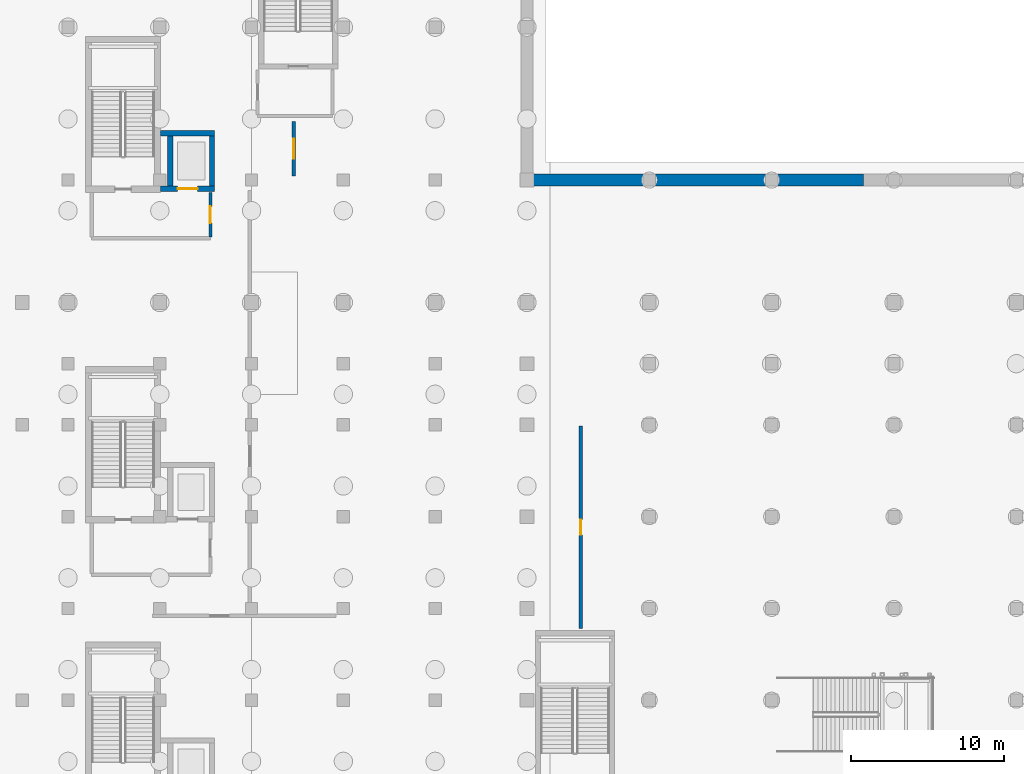
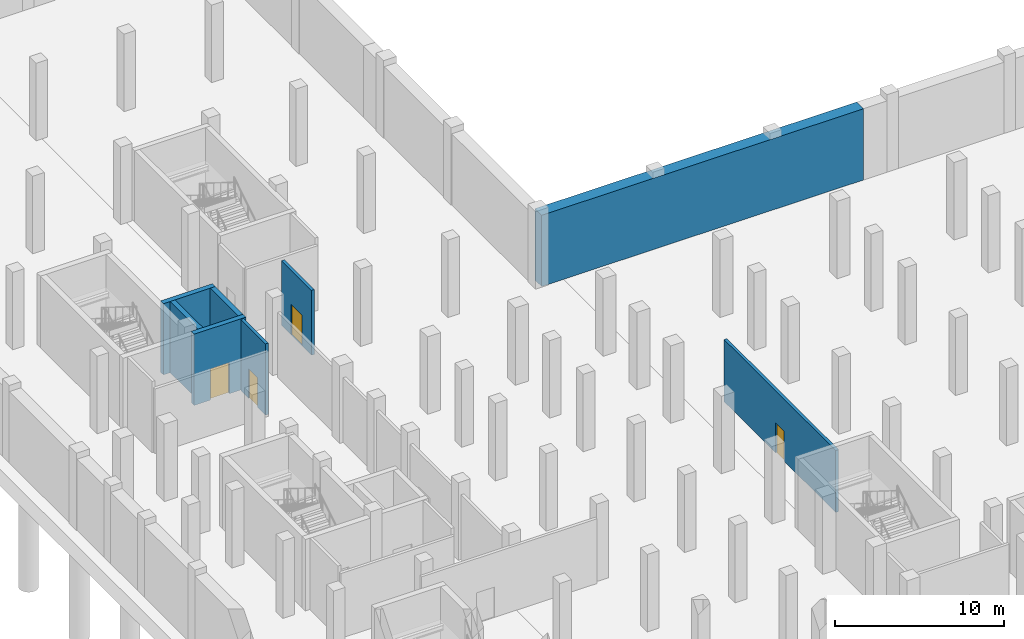
# One storey, part 12 of 26: 8 walls, 4 doors, 4 openings.
"""IFC4 building model written with IfcOpenShell, lengths in metres."""

from ifc_helpers import new_model, si_unit, direction, frame, frame_2d, origin, place, context, subcontext, project, spatial, rectangle, extrude, material, layer, layer_set, type_object, element, fill, save


model = new_model("IFC4")

# Units and contexts
model_context = context("Model", 3, precision=1e-05, world=origin(), true_north=direction((0.0, 1.0)))
body_context = subcontext(model_context, "Body", "Model", "MODEL_VIEW")
ifc_project = project(units=[si_unit("LENGTHUNIT", "METRE"), si_unit("AREAUNIT", "SQUARE_METRE"), si_unit("VOLUMEUNIT", "CUBIC_METRE"), si_unit("PLANEANGLEUNIT", "RADIAN"), si_unit("MASSUNIT", "GRAM", prefix="KILO")], contexts=[model_context])

# Site, building, storey
site_placement = place(None, origin())
site = spatial("IfcSite", under=ifc_project, at=site_placement, CompositionType="ELEMENT")
building_placement = place(site_placement, origin())
building = spatial("IfcBuilding", under=site, at=building_placement, Name="Verrall Gate Interchange", CompositionType="ELEMENT")
storey_placement = place(building_placement, frame((0.0, 0.0, -10.39990234375)))
storey = spatial("IfcBuildingStorey", under=building, at=storey_placement, Name="B2", CompositionType="ELEMENT", Elevation=-10.39990234375)

# Wall, opening, door
ifc_material_1 = material(Name="Fire-Rated Type X Gypsum Stud Partition Assembly (60 min)", Category="gypsum")
ifc_layer_1 = layer(ifc_material_1, 0.199951171875)
ifc_layer_set_1 = layer_set([ifc_layer_1], Name="Fire-Rated Type X Gypsum Stud Partition Assembly (60 min)")
wall_type_1 = type_object("IfcWallType", Name="IW-01 Interior Partition Wall 200", PredefinedType="PARTITIONING", material=ifc_layer_set_1)
wall_1_placement = place(storey_placement, frame((15.300048828125, 52.280029296875, 0.0), z_axis=(0.0, 0.0, 1.0), x_axis=(0.0, 1.0, 0.0)))
wall_1 = element("IfcWall", 1, at=wall_1_placement, inside=storey, type_object=wall_type_1, Name="B2 Core C3 Lobby East Rated Wall", PredefinedType="PARTITIONING", context=body_context, shape_type="SweptSolid", body=[
    extrude(rectangle(XDim=2.919921875, YDim=0.199951171875, at=frame_2d((1.4599609375, 0.0))), origin(), (0.0, 0.0, 1.0), 5.14990234375),
])
opening_1_placement = place(wall_1_placement, frame((0.909912109375, 0.0, 0.0)))
opening_1 = element("IfcOpeningElement", 2, at=opening_1_placement, cuts=wall_1, Name="Opening LBD044", PredefinedType="OPENING", context=body_context, shape_type="SweptSolid", body=[
    extrude(rectangle(XDim=1.10009765625, YDim=2.14990234375, at=frame_2d((0.550048828125, 1.074951171875))), frame((0.0, 0.11474609375, 0.0), z_axis=(0.0, -1.0, 0.0), x_axis=(1.0, 0.0, 0.0)), (0.0, 0.0, 1.0), 0.229736328125),
])
ifc_material_2 = material(Name="Hollow-Metal Fire-Rated Door Assembly", Category="metal")
door_type_1 = type_object("IfcDoorType", Name="ID-06 Interior Swing Door 1100x2150", OperationType="NOTDEFINED", PredefinedType="DOOR", material=ifc_material_2)
door_1_placement = place(opening_1_placement, origin())
door_1 = element("IfcDoor", 3, at=door_1_placement, inside=storey, type_object=door_type_1, Name="B2 Core C3 Lobby Fire Door LBD044", OperationType="SINGLE_SWING_RIGHT", OverallHeight=2.14990234375, OverallWidth=1.10009765625, PredefinedType="DOOR", context=body_context, shape_type="SweptSolid", body=[
    extrude(rectangle(XDim=1.10009765625, YDim=2.14990234375, at=frame_2d((0.550048828125, 1.074951171875))), frame((0.0, 0.02490234375, 0.0), z_axis=(0.0, -1.0, 0.0), x_axis=(1.0, 0.0, 0.0)), (0.0, 0.0, 1.0), 0.050048828125),
])
fill(opening_1, door_1)

wall_2_placement = place(storey_placement, frame((39.52001953125, 39.919921875, 0.0), z_axis=(0.0, 0.0, 1.0), x_axis=(0.0, -1.0, 0.0)))
wall_2 = element("IfcWall", 4, at=wall_2_placement, inside=storey, type_object=wall_type_1, Name="B2 West Tunnel Emergency Ventilation Plenum Partition 001", PredefinedType="PARTITIONING", context=body_context, shape_type="SweptSolid", body=[
    extrude(rectangle(XDim=13.219970703125, YDim=0.199951171875, at=frame_2d((6.60986328125, 0.0))), origin(), (0.0, 0.0, 1.0), 4.47998046875),
])
opening_2_placement = place(wall_2_placement, frame((6.110107421875, 0.0, 0.0)))
opening_2 = element("IfcOpeningElement", 5, at=opening_2_placement, cuts=wall_2, Name="Opening D001", PredefinedType="OPENING", context=body_context, shape_type="SweptSolid", body=[
    extrude(rectangle(XDim=1.0, YDim=2.14990234375, at=frame_2d((0.5, 1.074951171875))), frame((0.0, 0.11474609375, 0.0), z_axis=(0.0, -1.0, 0.0), x_axis=(1.0, 0.0, 0.0)), (0.0, 0.0, 1.0), 0.229736328125),
])
ifc_material_3 = material(Name="Hollow-Metal Fire-Rated Door Assembly", Category="metal")
door_type_2 = type_object("IfcDoorType", Name="ID-05 Interior Swing Door 1000x2150", OperationType="NOTDEFINED", PredefinedType="DOOR", material=ifc_material_3)
door_2_placement = place(opening_2_placement, origin())
door_2 = element("IfcDoor", 6, at=door_2_placement, inside=storey, type_object=door_type_2, Name="B2 West Tunnel Emergency Ventilation Plenum Door D001", OperationType="SINGLE_SWING_RIGHT", OverallHeight=2.14990234375, OverallWidth=1.0, PredefinedType="DOOR", context=body_context, shape_type="SweptSolid", body=[
    extrude(rectangle(XDim=1.0, YDim=2.14990234375, at=frame_2d((0.5, 1.074951171875))), frame((0.0, 0.02490234375, 0.0), z_axis=(0.0, -1.0, 0.0), x_axis=(1.0, 0.0, 0.0)), (0.0, 0.0, 1.0), 0.050048828125),
])
fill(opening_2, door_2)

wall_3_placement = place(storey_placement, frame((20.7548828125, 59.840087890625, 0.0), z_axis=(0.0, 0.0, 1.0), x_axis=(0.0, -1.0, 0.0)))
wall_3 = element("IfcWall", 7, at=wall_3_placement, inside=storey, type_object=wall_type_1, Name="B2 North Subgrade Chiller and Geothermal Plant Partition 009", PredefinedType="PARTITIONING", context=body_context, shape_type="SweptSolid", body=[
    extrude(rectangle(XDim=3.56005859375, YDim=0.199951171875, at=frame_2d((1.780029296875, 0.0))), origin(), (0.0, 0.0, 1.0), 4.679931640625),
])
opening_3_placement = place(wall_3_placement, frame((1.1201171875, 0.0, 0.0)))
opening_3 = element("IfcOpeningElement", 8, at=opening_3_placement, cuts=wall_3, Name="Opening D009", PredefinedType="OPENING", context=body_context, shape_type="SweptSolid", body=[
    extrude(rectangle(XDim=1.320068359375, YDim=2.199951171875, at=frame_2d((0.66015625, 1.10009765625))), frame((0.0, 0.11474609375, 0.0), z_axis=(0.0, -1.0, 0.0), x_axis=(1.0, 0.0, 0.0)), (0.0, 0.0, 1.0), 0.229736328125),
])
ifc_material_4 = material(Name="Hollow-Metal Fire-Rated Door Assembly", Category="metal")
door_type_3 = type_object("IfcDoorType", Name="ID-08 Interior Swing Door 1320x2200", OperationType="NOTDEFINED", PredefinedType="DOOR", material=ifc_material_4)
door_3_placement = place(opening_3_placement, origin())
door_3 = element("IfcDoor", 9, at=door_3_placement, inside=storey, type_object=door_type_3, Name="B2 North Subgrade Chiller and Geothermal Plant Door D009", OperationType="SINGLE_SWING_RIGHT", OverallHeight=2.199951171875, OverallWidth=1.320068359375, PredefinedType="DOOR", context=body_context, shape_type="SweptSolid", body=[
    extrude(rectangle(XDim=1.320068359375, YDim=2.199951171875, at=frame_2d((0.66015625, 1.10009765625))), frame((0.0, 0.02490234375, 0.0), z_axis=(0.0, -1.0, 0.0), x_axis=(1.0, 0.0, 0.0)), (0.0, 0.0, 1.0), 0.050048828125),
])
fill(opening_3, door_3)

# Wall
ifc_material_5 = material(Name="Concrete CSA A23.1 35 MPa (Class S-2)", Category="concrete")
ifc_layer_2 = layer(ifc_material_5, 0.800048828125)
ifc_layer_set_2 = layer_set([ifc_layer_2], Name="Concrete CSA A23.1 35 MPa (Class S-2)")
wall_type_2 = type_object("IfcWallType", Name="RW-01 Diaphragm Retaining Wall 800", PredefinedType="USERDEFINED", material=ifc_layer_set_2)
wall_4_placement = place(storey_placement, frame((58.0, 56.0, 0.0), z_axis=(0.0, 0.0, 1.0), x_axis=(-1.0, 0.0, 0.0)))
element("IfcWall", 10, at=wall_4_placement, inside=storey, type_object=wall_type_2, Name="B2 Diaphragm Retaining Wall 016", ObjectType="RETAININGWALL", PredefinedType="USERDEFINED", context=body_context, shape_type="SweptSolid", body=[
    extrude(rectangle(XDim=22.0, YDim=0.800048828125, at=frame_2d((11.0, 0.0))), origin(), (0.0, 0.0, 1.0), 5.14990234375),
])

# Wall, opening, door
ifc_material_6 = material(Name="Concrete CSA A23.1 40 MPa (Class N)", Category="concrete")
ifc_layer_3 = layer(ifc_material_6, 0.340087890625)
ifc_layer_set_3 = layer_set([ifc_layer_3], Name="Concrete CSA A23.1 40 MPa (Class N)")
wall_type_3 = type_object("IfcWallType", Name="SW-02 Core Shear Wall 340", PredefinedType="SHEAR", material=ifc_layer_set_3)
wall_5_placement = place(storey_placement, frame((12.050048828125, 55.429931640625, 0.0), z_axis=(0.0, 0.0, 1.0), x_axis=(1.0, 0.0, 0.0)))
wall_5 = element("IfcWall", 11, at=wall_5_placement, inside=storey, type_object=wall_type_3, Name="B2 Elevator EL-08 South Shaft Wall", PredefinedType="SHEAR", context=body_context, shape_type="SweptSolid", body=[
    extrude(rectangle(XDim=3.5400390625, YDim=0.340087890625, at=frame_2d((1.77001953125, 0.0))), origin(), (0.0, 0.0, 1.0), 5.14990234375),
])
opening_4_placement = place(wall_5_placement, frame((1.1201171875, 0.0, 0.0)))
opening_4 = element("IfcOpeningElement", 12, at=opening_4_placement, cuts=wall_5, Name="Opening LD-08-B2", PredefinedType="OPENING", context=body_context, shape_type="SweptSolid", body=[
    extrude(rectangle(XDim=1.300048828125, YDim=2.25, at=frame_2d((0.64990234375, 1.125))), frame((0.0, 0.18505859375, 0.0), z_axis=(0.0, -1.0, 0.0), x_axis=(1.0, 0.0, 0.0)), (0.0, 0.0, 1.0), 0.369873046875),
])
ifc_material_7 = material(Name="Stainless-Steel Elevator Landing Sliding Door Assembly", Category="steel")
door_type_4 = type_object("IfcDoorType", Name="LD-03 Elevator Sliding Landing Door 1300x2250", OperationType="NOTDEFINED", PredefinedType="DOOR", material=ifc_material_7)
door_4_placement = place(opening_4_placement, origin())
door_4 = element("IfcDoor", 13, at=door_4_placement, inside=storey, type_object=door_type_4, Name="B2 Elevator EL-08 Sliding Landing Door", OperationType="DOUBLE_DOOR_SLIDING", OverallHeight=2.25, OverallWidth=1.300048828125, PredefinedType="DOOR", context=body_context, shape_type="SweptSolid", body=[
    extrude(rectangle(XDim=1.300048828125, YDim=2.25, at=frame_2d((0.64990234375, 1.125))), frame((0.0, 0.02490234375, 0.0), z_axis=(0.0, -1.0, 0.0), x_axis=(1.0, 0.0, 0.0)), (0.0, 0.0, 1.0), 0.050048828125),
])
fill(opening_4, door_4)

# Walls
wall_6_placement = place(storey_placement, frame((15.590087890625, 59.070068359375, 0.0), z_axis=(0.0, 0.0, 1.0), x_axis=(-1.0, 0.0, 0.0)))
element("IfcWall", 14, at=wall_6_placement, inside=storey, type_object=wall_type_3, Name="B2 Elevator EL-08 North Shaft Wall", PredefinedType="SHEAR", context=body_context, shape_type="SweptSolid", body=[
    extrude(rectangle(XDim=3.5400390625, YDim=0.340087890625, at=frame_2d((1.77001953125, 0.0))), origin(), (0.0, 0.0, 1.0), 5.14990234375),
])
for number, where, z_axis, x_axis, name in (
    (15, (12.679931640625, 58.89990234375, 0.0), (0.0, 0.0, 1.0), (0.0, -1.0, 0.0), "B2 Elevator EL-08 West Shaft Wall"),
    (16, (15.419921875, 55.60009765625, 0.0), (0.0, 0.0, 1.0), (0.0, 1.0, 0.0), "B2 Elevator EL-08 East Shaft Wall"),
):
    element("IfcWall", number, at=place(storey_placement, frame(where, z_axis=z_axis, x_axis=x_axis)), inside=storey, type_object=wall_type_3, Name=name, PredefinedType="SHEAR", context=body_context, shape_type="SweptSolid", body=[
        extrude(rectangle(XDim=3.2998046875, YDim=0.340087890625, at=frame_2d((1.64990234375, 0.0))), origin(), (0.0, 0.0, 1.0), 5.14990234375),
    ])

save(model, "model.ifc")
